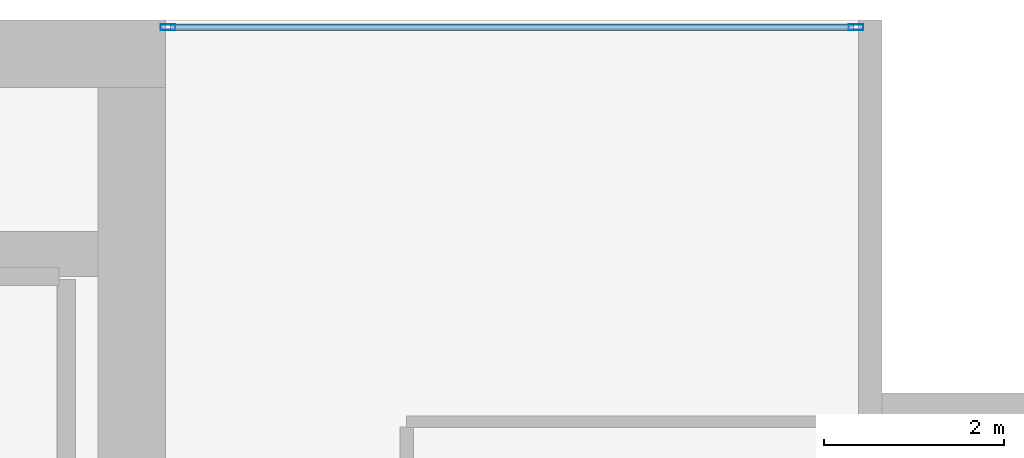
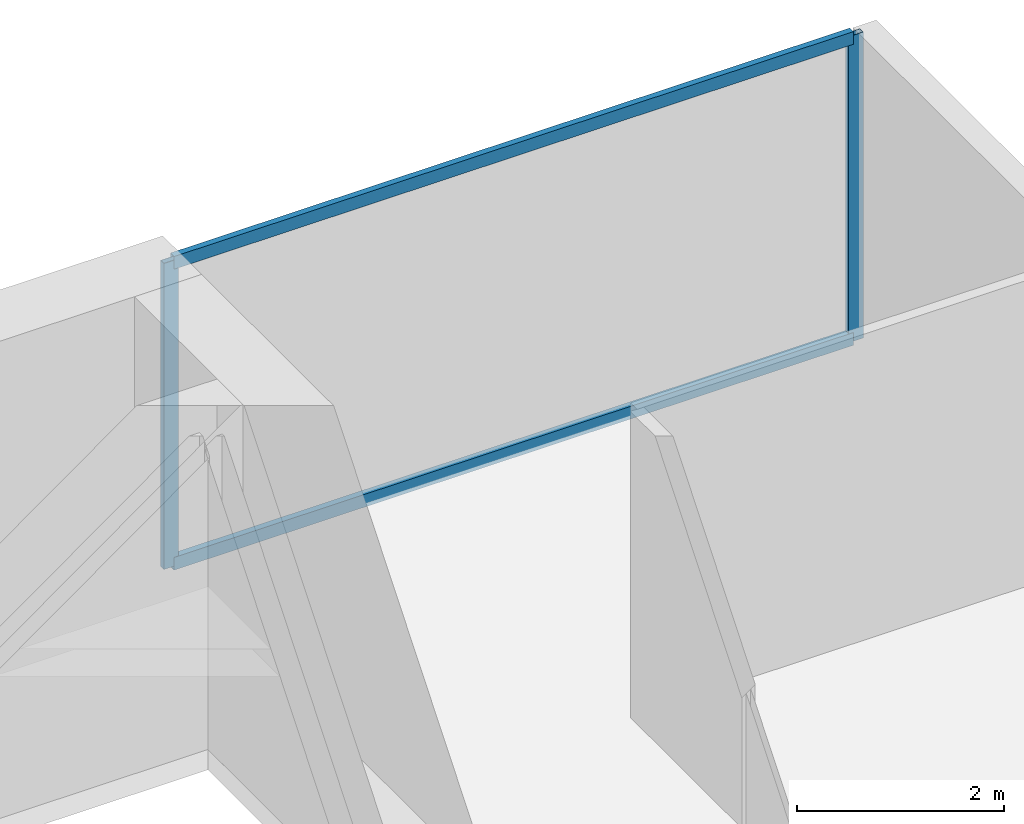
# One storey, part 25 of 33: 4 members, 1 element without a shape of its own.
"""IFC4 building model written with IfcOpenShell, lengths in metres."""

from ifc_helpers import new_model, si_unit, direction, frame, origin, origin_2d, place, context, subcontext, project, spatial, hollow_rectangle, extrude, material, layer, layer_set, material_profile, profile_set, type_object, element, aggregate, save


model = new_model("IFC4")

# Units and contexts
model_context = context("Model", 3, precision=1e-05, world=origin(), true_north=direction((0.0, 1.0)))
body_context = subcontext(model_context, "Body", "Model", "MODEL_VIEW")
ifc_project = project(units=[si_unit("LENGTHUNIT", "METRE"), si_unit("AREAUNIT", "SQUARE_METRE"), si_unit("VOLUMEUNIT", "CUBIC_METRE"), si_unit("PLANEANGLEUNIT", "RADIAN"), si_unit("MASSUNIT", "GRAM", prefix="KILO")], contexts=[model_context])

# Site, building, storey
site_placement = place(None, origin())
site = spatial("IfcSite", under=ifc_project, at=site_placement, CompositionType="ELEMENT")
building_placement = place(site_placement, origin())
building = spatial("IfcBuilding", under=site, at=building_placement, Name="Maruvema Waterfront Hotel and Observation Tower", CompositionType="ELEMENT")
storey_placement = place(building_placement, frame((0.0, 0.0, 138.949951171875)))
storey = spatial("IfcBuildingStorey", under=building, at=storey_placement, Name="L33", CompositionType="ELEMENT", Elevation=138.949951171875)

# Curtain wall, members
ifc_material_1 = material(Name="Anodised bronze aluminium and solar-control low-E IGU", Category="aluminium")
ifc_layer = layer(ifc_material_1, 0.159912109375, Name="Zone 2 Amber Inner Thermal Curtain Wall System CW-03")
ifc_layer_set = layer_set([ifc_layer], Name="Anodised bronze aluminium and solar-control low-E IGU")
curtain_wall_type = type_object("IfcCurtainWallType", Name="Zone 2 Amber Inner Thermal Curtain Wall System CW-03", PredefinedType="USERDEFINED", material=ifc_layer_set)
curtain_wall_placement = place(storey_placement, origin())
curtain_wall = element("IfcCurtainWall", 1, at=curtain_wall_placement, inside=storey, type_object=curtain_wall_type, Name="L33 Curtain Wall CW-L33-NE", ObjectType="UNITISED CURTAIN WALL", PredefinedType="USERDEFINED")
ifc_material_2 = material(Name="Anodised architectural bronze aluminium", Category="aluminium")
ifc_material_profile_1 = material_profile(ifc_material_2, hollow_rectangle(XDim=0.070068359375, YDim=0.14990234375, WallThickness=0.00390625, at=origin_2d()), Name="ALU-T70x150")
ifc_profile_set_1 = profile_set([ifc_material_profile_1], Name="Anodised architectural bronze aluminium")
member_type_1 = type_object("IfcMemberType", Name="Curtain Wall Horizontal Transom ALU-T70x150", PredefinedType="USERDEFINED", material=ifc_profile_set_1)
member_1_placement = place(storey_placement, frame((58.0400390625, 53.919921875, 0.030029296875), z_axis=(-1.0, 0.0, 0.0), x_axis=(0.0, -1.0, 0.0)))
member_1 = element("IfcMember", 2, at=member_1_placement, type_object=member_type_1, Name="CW-03 transom 1.1", ObjectType="TRANSOM", PredefinedType="USERDEFINED", context=body_context, shape_type="SweptSolid", body=[
    extrude(hollow_rectangle(XDim=0.070068359375, YDim=0.14990234375, WallThickness=0.00390625, at=origin_2d()), origin(), (0.0, 0.0, 1.0), 7.580078125),
])
member_2_placement = place(storey_placement, frame((58.0400390625, 53.919921875, 3.580078125), z_axis=(-1.0, 0.0, 0.0), x_axis=(0.0, -1.0, 0.0)))
member_2 = element("IfcMember", 3, at=member_2_placement, type_object=member_type_1, Name="CW-03 transom 1.2", ObjectType="TRANSOM", PredefinedType="USERDEFINED", context=body_context, shape_type="SweptSolid", body=[
    extrude(hollow_rectangle(XDim=0.070068359375, YDim=0.14990234375, WallThickness=0.00390625, at=origin_2d()), origin(), (0.0, 0.0, 1.0), 7.580078125),
])
ifc_material_3 = material(Name="Anodised architectural bronze aluminium", Category="aluminium")
ifc_material_profile_2 = material_profile(ifc_material_3, hollow_rectangle(XDim=0.06494140625, YDim=0.1650390625, WallThickness=0.00390625, at=origin_2d()), Name="ALU-M65x165")
ifc_profile_set_2 = profile_set([ifc_material_profile_2], Name="Anodised architectural bronze aluminium")
member_type_2 = type_object("IfcMemberType", Name="Curtain Wall Primary Mullion ALU-M65x165", PredefinedType="MULLION", material=ifc_profile_set_2)
member_3_placement = place(storey_placement, frame((58.070068359375, 53.919921875, 0.0), z_axis=(0.0, 0.0, 1.0), x_axis=(0.0, -1.0, 0.0)))
member_3 = element("IfcMember", 4, at=member_3_placement, type_object=member_type_2, Name="CW-03 mullion 1", PredefinedType="MULLION", context=body_context, shape_type="SweptSolid", body=[
    extrude(hollow_rectangle(XDim=0.06494140625, YDim=0.1650390625, WallThickness=0.00390625, at=origin_2d()), origin(), (0.0, 0.0, 1.0), 3.610107421875),
])
member_4_placement = place(storey_placement, frame((50.429931640625, 53.919921875, 0.0), z_axis=(0.0, 0.0, 1.0), x_axis=(0.0, -1.0, 0.0)))
member_4 = element("IfcMember", 5, at=member_4_placement, type_object=member_type_2, Name="CW-03 mullion 2", PredefinedType="MULLION", context=body_context, shape_type="SweptSolid", body=[
    extrude(hollow_rectangle(XDim=0.06494140625, YDim=0.1650390625, WallThickness=0.00390625, at=origin_2d()), origin(), (0.0, 0.0, 1.0), 3.610107421875),
])
aggregate(curtain_wall, [member_3, member_4, member_1, member_2])

save(model, "model.ifc")
